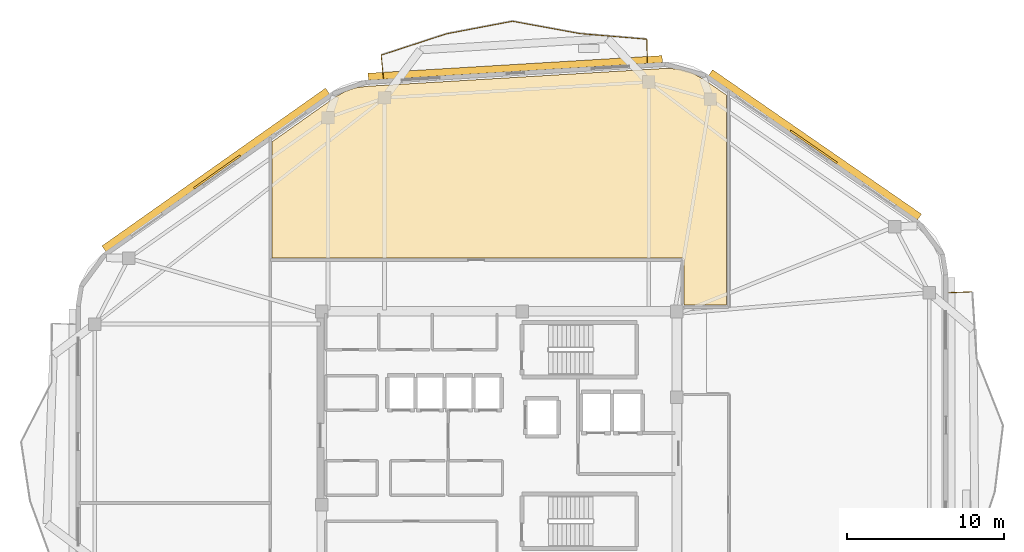
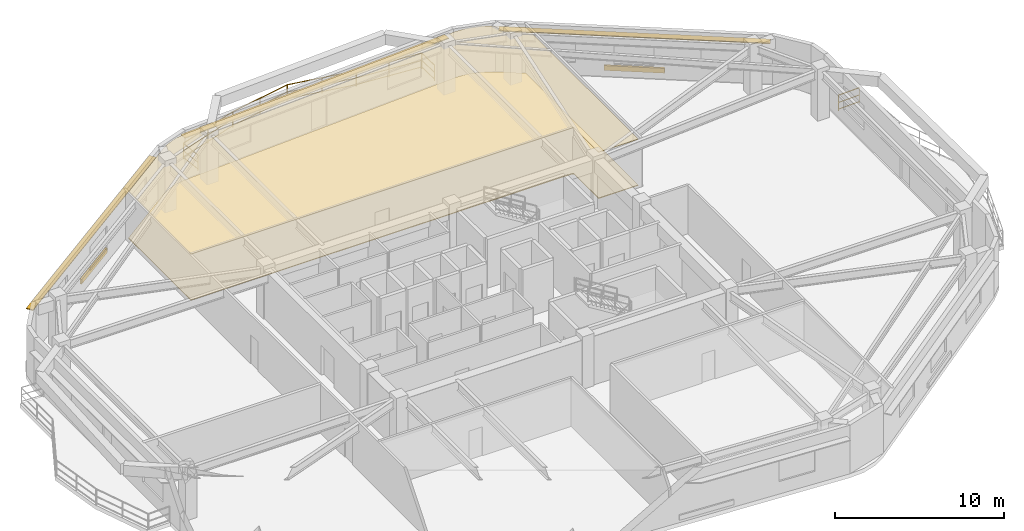
# One storey, part 9 of 9: 7 railings, 5 shading devices, 2 coverings.
"""IFC4 building model written with IfcOpenShell, lengths in metres."""

from ifc_helpers import new_model, si_unit, direction, frame, origin, origin_2d, place, context, subcontext, project, spatial, polyline, rectangle, outline, extrude, material, layer, layer_set, type_object, element, save


model = new_model("IFC4")

# Units and contexts
model_context = context("Model", 3, precision=1e-05, world=origin(), true_north=direction((0.0, 1.0)))
body_context = subcontext(model_context, "Body", "Model", "MODEL_VIEW")
ifc_project = project(units=[si_unit("LENGTHUNIT", "METRE"), si_unit("AREAUNIT", "SQUARE_METRE"), si_unit("VOLUMEUNIT", "CUBIC_METRE"), si_unit("PLANEANGLEUNIT", "RADIAN"), si_unit("MASSUNIT", "GRAM", prefix="KILO")], contexts=[model_context])

# Site, building, storey
site_placement = place(None, origin())
site = spatial("IfcSite", under=ifc_project, at=site_placement, CompositionType="ELEMENT")
building_placement = place(site_placement, origin())
building = spatial("IfcBuilding", under=site, at=building_placement, Name="Zulverin Broadcast Headquarters", CompositionType="ELEMENT")
storey_placement = place(building_placement, frame((0.0, 0.0, 244.0)))
storey = spatial("IfcBuildingStorey", under=building, at=storey_placement, Name="L62", CompositionType="ELEMENT", Elevation=244.0)

# Coverings
ifc_material_1 = material(Name="Perforated pale-metal acoustic baffle ceiling", Category="aluminium")
ifc_layer_1 = layer(ifc_material_1, 0.0400390625, Name="Perforated pale-metal acoustic baffle ceiling", Category="aluminium")
ifc_layer_set_1 = layer_set([ifc_layer_1], Name="Perforated pale-metal acoustic baffle ceiling")
covering_type_1 = type_object("IfcCoveringType", Name="COV-CEIL-ACOU", PredefinedType="CEILING", material=ifc_layer_set_1)
covering_1_placement = place(storey_placement, frame((0.0, 0.0, 3.330078125)))
element("IfcCovering", 1, at=covering_1_placement, inside=storey, type_object=covering_type_1, Name="L62 Acoustic Baffle Ceiling 01", PredefinedType="CEILING", context=body_context, shape_type="SweptSolid", body=[
    extrude(outline(polyline([(48.39599609375, 48.471923828125), (47.56005859375, 48.51611328125), (28.52392578125, 47.3720703125), (27.827880859375, 47.26806640625), (27.18798828125, 47.0400390625), (26.575927734375, 46.69189453125), (22.572021484375, 43.860107421875), (22.572021484375, 36.471923828125), (48.60009765625, 36.471923828125), (48.612060546875, 36.471923828125), (48.6240234375, 36.468017578125), (48.635986328125, 36.468017578125), (48.64404296875, 36.464111328125), (48.656005859375, 36.4560546875), (48.66796875, 36.451904296875), (48.676025390625, 36.444091796875), (48.68408203125, 36.43603515625), (48.69189453125, 36.427978515625), (48.699951171875, 36.419921875), (48.7041015625, 36.407958984375), (48.7119140625, 36.39599609375), (48.716064453125, 36.387939453125), (48.716064453125, 36.3759765625), (48.719970703125, 36.364013671875), (48.719970703125, 36.35205078125), (48.719970703125, 33.5), (51.431884765625, 33.5), (51.431884765625, 46.81201171875), (49.924072265625, 47.85205078125), (49.18798828125, 48.251953125), (48.39599609375, 48.471923828125)])), origin(), (0.0, 0.0, 1.0), 0.0400390625),
])
ifc_material_2 = material(Name="Anti-static broadcast raised access flooring", Category="stone")
ifc_layer_2 = layer(ifc_material_2, 0.050048828125, Name="Anti-static broadcast raised access flooring", Category="stone")
ifc_layer_set_2 = layer_set([ifc_layer_2], Name="Anti-static broadcast raised access flooring")
covering_type_2 = type_object("IfcCoveringType", Name="COV-FLR-RAISED", PredefinedType="FLOORING", material=ifc_layer_set_2)
covering_2_placement = place(storey_placement, origin())
element("IfcCovering", 2, at=covering_2_placement, inside=storey, type_object=covering_type_2, Name="L62 Broadcast Raised Access Flooring 01", PredefinedType="FLOORING", context=body_context, shape_type="SweptSolid", body=[
    extrude(outline(polyline([(48.39599609375, 48.471923828125), (47.56005859375, 48.51611328125), (28.52392578125, 47.3720703125), (27.827880859375, 47.26806640625), (27.18798828125, 47.0400390625), (26.575927734375, 46.69189453125), (22.572021484375, 43.860107421875), (22.572021484375, 36.471923828125), (48.60009765625, 36.471923828125), (48.612060546875, 36.471923828125), (48.6240234375, 36.468017578125), (48.635986328125, 36.468017578125), (48.64404296875, 36.464111328125), (48.656005859375, 36.4560546875), (48.66796875, 36.451904296875), (48.676025390625, 36.444091796875), (48.68408203125, 36.43603515625), (48.69189453125, 36.427978515625), (48.699951171875, 36.419921875), (48.7041015625, 36.407958984375), (48.7119140625, 36.39599609375), (48.716064453125, 36.387939453125), (48.716064453125, 36.3759765625), (48.719970703125, 36.364013671875), (48.719970703125, 36.35205078125), (48.719970703125, 33.5), (51.431884765625, 33.5), (51.431884765625, 46.81201171875), (49.924072265625, 47.85205078125), (49.18798828125, 48.251953125), (48.39599609375, 48.471923828125)])), origin(), (0.0, 0.0, 1.0), 0.050048828125),
])

# Railings
ifc_material_3 = material(Name="Brushed stainless steel & laminated glass balustrade", Category="steel")
railing_type = type_object("IfcRailingType", Name="RL-GUARD-1150", PredefinedType="GUARDRAIL", material=ifc_material_3)
railing_1_placement = place(storey_placement, frame((67.0048828125, 34.3251953125, 0.0)))
element("IfcRailing", 3, at=railing_1_placement, inside=storey, type_object=railing_type, Name="L62 Vertical-Forest Balcony Guardrail BAL_E Segment 06", PredefinedType="GUARDRAIL", context=body_context, shape_type="SweptSolid", body=[
    extrude(rectangle(XDim=0.048095703125, YDim=0.048095703125, at=origin_2d()), frame((0.0, 0.0, 1.1259765625), z_axis=(-0.999174135318, -0.040633081503, 0.0), x_axis=(0.040633081503, -0.999174135318, 0.0)), (0.0, 0.0, 1.0), 1.466064453125),
    extrude(rectangle(XDim=0.0419921875, YDim=0.0419921875, at=origin_2d()), frame((0.0, 0.0, 0.597900390625), z_axis=(-0.999174135318, -0.040633081503, 0.0), x_axis=(0.040633081503, -0.999174135318, 0.0)), (0.0, 0.0, 1.0), 1.466064453125),
    extrude(rectangle(XDim=0.0419921875, YDim=0.0419921875, at=origin_2d()), frame((0.0, 0.0, 0.1201171875), z_axis=(-0.999174135318, -0.040633081503, 0.0), x_axis=(0.040633081503, -0.999174135318, 0.0)), (0.0, 0.0, 1.0), 1.466064453125),
    extrude(rectangle(XDim=0.0419921875, YDim=0.0419921875, at=origin_2d()), origin(), (0.0, 0.0, 1.0), 1.101806640625),
    extrude(rectangle(XDim=0.0419921875, YDim=0.0419921875, at=origin_2d()), frame((-1.46484375, -0.0595703125, 0.0)), (0.0, 0.0, 1.0), 1.101806640625),
])
railing_2_placement = place(storey_placement, frame((46.397216796875, 48.885498046875, 0.0)))
element("IfcRailing", 4, at=railing_2_placement, inside=storey, type_object=railing_type, Name="L62 Vertical-Forest Balcony Guardrail BAL_N Segment 01", PredefinedType="GUARDRAIL", context=body_context, shape_type="SweptSolid", body=[
    extrude(rectangle(XDim=0.048095703125, YDim=0.048095703125, at=origin_2d()), frame((0.0, 0.0, 1.1259765625), z_axis=(-0.019480066399, 0.999810245503, 0.0), x_axis=(-0.999810245503, -0.019480066399, 0.0)), (0.0, 0.0, 1.0), 1.46630859375),
    extrude(rectangle(XDim=0.0419921875, YDim=0.0419921875, at=origin_2d()), frame((0.0, 0.0, 0.597900390625), z_axis=(-0.019480066399, 0.999810245503, 0.0), x_axis=(-0.999810245503, -0.019480066399, 0.0)), (0.0, 0.0, 1.0), 1.46630859375),
    extrude(rectangle(XDim=0.0419921875, YDim=0.0419921875, at=origin_2d()), frame((0.0, 0.0, 0.1201171875), z_axis=(-0.019480066399, 0.999810245503, 0.0), x_axis=(-0.999810245503, -0.019480066399, 0.0)), (0.0, 0.0, 1.0), 1.46630859375),
    extrude(rectangle(XDim=0.0419921875, YDim=0.0419921875, at=origin_2d()), origin(), (0.0, 0.0, 1.0), 1.101806640625),
    extrude(rectangle(XDim=0.0419921875, YDim=0.0419921875, at=origin_2d()), frame((-0.028564453125, 1.466064453125, 0.0)), (0.0, 0.0, 1.0), 1.101806640625),
])
railing_3_placement = place(storey_placement, frame((46.353515625, 50.367919921875, 0.0)))
element("IfcRailing", 5, at=railing_3_placement, inside=storey, type_object=railing_type, Name="L62 Vertical-Forest Balcony Guardrail BAL_N Segment 02", PredefinedType="GUARDRAIL", context=body_context, shape_type="SweptSolid", body=[
    extrude(rectangle(XDim=0.048095703125, YDim=0.048095703125, at=origin_2d()), frame((0.0, 0.0, 1.1259765625), z_axis=(-0.996482760527, 0.083798018905, 0.0), x_axis=(-0.083798018905, -0.996482760527, 0.0)), (0.0, 0.0, 1.0), 4.241943359375),
    extrude(rectangle(XDim=0.0419921875, YDim=0.0419921875, at=origin_2d()), frame((0.0, 0.0, 0.597900390625), z_axis=(-0.996482760527, 0.083798018905, 0.0), x_axis=(-0.083798018905, -0.996482760527, 0.0)), (0.0, 0.0, 1.0), 4.241943359375),
    extrude(rectangle(XDim=0.0419921875, YDim=0.0419921875, at=origin_2d()), frame((0.0, 0.0, 0.1201171875), z_axis=(-0.996482760527, 0.083798018905, 0.0), x_axis=(-0.083798018905, -0.996482760527, 0.0)), (0.0, 0.0, 1.0), 4.241943359375),
    extrude(rectangle(XDim=0.0419921875, YDim=0.0419921875, at=origin_2d()), origin(), (0.0, 0.0, 1.0), 1.101806640625),
    extrude(rectangle(XDim=0.0419921875, YDim=0.0419921875, at=origin_2d()), frame((-2.113525390625, 0.177734375, 0.0)), (0.0, 0.0, 1.0), 1.101806640625),
    extrude(rectangle(XDim=0.0419921875, YDim=0.0419921875, at=origin_2d()), frame((-4.22705078125, 0.35546875, 0.0)), (0.0, 0.0, 1.0), 1.101806640625),
])
railing_4_placement = place(storey_placement, frame((42.0966796875, 50.727294921875, 0.0)))
element("IfcRailing", 6, at=railing_4_placement, inside=storey, type_object=railing_type, Name="L62 Vertical-Forest Balcony Guardrail BAL_N Segment 03", PredefinedType="GUARDRAIL", context=body_context, shape_type="SweptSolid", body=[
    extrude(rectangle(XDim=0.048095703125, YDim=0.048095703125, at=origin_2d()), frame((0.0, 0.0, 1.1259765625), z_axis=(-0.983691422251, 0.179864353859, 0.0), x_axis=(-0.179864353859, -0.983691422251, 0.0)), (0.0, 0.0, 1.0), 4.3232421875),
    extrude(rectangle(XDim=0.0419921875, YDim=0.0419921875, at=origin_2d()), frame((0.0, 0.0, 0.597900390625), z_axis=(-0.983691422251, 0.179864353859, 0.0), x_axis=(-0.179864353859, -0.983691422251, 0.0)), (0.0, 0.0, 1.0), 4.3232421875),
    extrude(rectangle(XDim=0.0419921875, YDim=0.0419921875, at=origin_2d()), frame((0.0, 0.0, 0.1201171875), z_axis=(-0.983691422251, 0.179864353859, 0.0), x_axis=(-0.179864353859, -0.983691422251, 0.0)), (0.0, 0.0, 1.0), 4.3232421875),
    extrude(rectangle(XDim=0.0419921875, YDim=0.0419921875, at=origin_2d()), origin(), (0.0, 0.0, 1.0), 1.101806640625),
    extrude(rectangle(XDim=0.0419921875, YDim=0.0419921875, at=origin_2d()), frame((-2.12646484375, 0.388671875, 0.0)), (0.0, 0.0, 1.0), 1.101806640625),
    extrude(rectangle(XDim=0.0419921875, YDim=0.0419921875, at=origin_2d()), frame((-4.252685546875, 0.777587890625, 0.0)), (0.0, 0.0, 1.0), 1.101806640625),
])
railing_5_placement = place(storey_placement, frame((37.814453125, 51.504638671875, 0.0)))
element("IfcRailing", 7, at=railing_5_placement, inside=storey, type_object=railing_type, Name="L62 Vertical-Forest Balcony Guardrail BAL_N Segment 04", PredefinedType="GUARDRAIL", context=body_context, shape_type="SweptSolid", body=[
    extrude(rectangle(XDim=0.048095703125, YDim=0.048095703125, at=origin_2d()), frame((0.0, 0.0, 1.1259765625), z_axis=(-0.982338566422, -0.18711210789, 0.0), x_axis=(0.18711210789, -0.982338566422, 0.0)), (0.0, 0.0, 1.0), 4.232666015625),
    extrude(rectangle(XDim=0.0419921875, YDim=0.0419921875, at=origin_2d()), frame((0.0, 0.0, 0.597900390625), z_axis=(-0.982338566422, -0.18711210789, 0.0), x_axis=(0.18711210789, -0.982338566422, 0.0)), (0.0, 0.0, 1.0), 4.232666015625),
    extrude(rectangle(XDim=0.0419921875, YDim=0.0419921875, at=origin_2d()), frame((0.0, 0.0, 0.1201171875), z_axis=(-0.982338566422, -0.18711210789, 0.0), x_axis=(0.18711210789, -0.982338566422, 0.0)), (0.0, 0.0, 1.0), 4.232666015625),
    extrude(rectangle(XDim=0.0419921875, YDim=0.0419921875, at=origin_2d()), origin(), (0.0, 0.0, 1.0), 1.101806640625),
    extrude(rectangle(XDim=0.0419921875, YDim=0.0419921875, at=origin_2d()), frame((-2.0791015625, -0.39599609375, 0.0)), (0.0, 0.0, 1.0), 1.101806640625),
    extrude(rectangle(XDim=0.0419921875, YDim=0.0419921875, at=origin_2d()), frame((-4.157958984375, -0.7919921875, 0.0)), (0.0, 0.0, 1.0), 1.101806640625),
])
railing_6_placement = place(storey_placement, frame((33.62744140625, 50.705078125, 0.0)))
element("IfcRailing", 8, at=railing_6_placement, inside=storey, type_object=railing_type, Name="L62 Vertical-Forest Balcony Guardrail BAL_N Segment 05", PredefinedType="GUARDRAIL", context=body_context, shape_type="SweptSolid", body=[
    extrude(rectangle(XDim=0.048095703125, YDim=0.048095703125, at=origin_2d()), frame((0.0, 0.0, 1.1259765625), z_axis=(-0.950595292658, -0.310432906722, 0.0), x_axis=(0.310432906722, -0.950595292658, 0.0)), (0.0, 0.0, 1.0), 4.339599609375),
    extrude(rectangle(XDim=0.0419921875, YDim=0.0419921875, at=origin_2d()), frame((0.0, 0.0, 0.597900390625), z_axis=(-0.950595292658, -0.310432906722, 0.0), x_axis=(0.310432906722, -0.950595292658, 0.0)), (0.0, 0.0, 1.0), 4.339599609375),
    extrude(rectangle(XDim=0.0419921875, YDim=0.0419921875, at=origin_2d()), frame((0.0, 0.0, 0.1201171875), z_axis=(-0.950595292658, -0.310432906722, 0.0), x_axis=(0.310432906722, -0.950595292658, 0.0)), (0.0, 0.0, 1.0), 4.339599609375),
    extrude(rectangle(XDim=0.0419921875, YDim=0.0419921875, at=origin_2d()), origin(), (0.0, 0.0, 1.0), 1.101806640625),
    extrude(rectangle(XDim=0.0419921875, YDim=0.0419921875, at=origin_2d()), frame((-2.0625, -0.673583984375, 0.0)), (0.0, 0.0, 1.0), 1.101806640625),
    extrude(rectangle(XDim=0.0419921875, YDim=0.0419921875, at=origin_2d()), frame((-4.125244140625, -1.34716796875, 0.0)), (0.0, 0.0, 1.0), 1.101806640625),
])
railing_7_placement = place(storey_placement, frame((29.489501953125, 49.338134765625, 0.0)))
element("IfcRailing", 9, at=railing_7_placement, inside=storey, type_object=railing_type, Name="L62 Vertical-Forest Balcony Guardrail BAL_N Segment 06", PredefinedType="GUARDRAIL", context=body_context, shape_type="SweptSolid", body=[
    extrude(rectangle(XDim=0.048095703125, YDim=0.048095703125, at=origin_2d()), frame((0.0, 0.0, 1.1259765625), z_axis=(0.100245616419, -0.994962721105, 0.0), x_axis=(0.994962721105, 0.100245616419, 0.0)), (0.0, 0.0, 1.0), 1.466064453125),
    extrude(rectangle(XDim=0.0419921875, YDim=0.0419921875, at=origin_2d()), frame((0.0, 0.0, 0.597900390625), z_axis=(0.100245616419, -0.994962721105, 0.0), x_axis=(0.994962721105, 0.100245616419, 0.0)), (0.0, 0.0, 1.0), 1.466064453125),
    extrude(rectangle(XDim=0.0419921875, YDim=0.0419921875, at=origin_2d()), frame((0.0, 0.0, 0.1201171875), z_axis=(0.100245616419, -0.994962721105, 0.0), x_axis=(0.994962721105, 0.100245616419, 0.0)), (0.0, 0.0, 1.0), 1.466064453125),
    extrude(rectangle(XDim=0.0419921875, YDim=0.0419921875, at=origin_2d()), origin(), (0.0, 0.0, 1.0), 1.101806640625),
    extrude(rectangle(XDim=0.0419921875, YDim=0.0419921875, at=origin_2d()), frame((0.14697265625, -1.458740234375, 0.0)), (0.0, 0.0, 1.0), 1.101806640625),
])

# Shading devices
ifc_material_4 = material(Name="Anodized pale-metal aluminium acoustic louvre", Category="aluminium")
shading_device_type_1 = type_object("IfcShadingDeviceType", Name="SHD-LOUVRE-350", PredefinedType="USERDEFINED", material=ifc_material_4)
for number, where, z_axis, x_axis, name in (
    (10, (56.955322265625, 43.52978515625, 0.244873046875), (0.0, 0.0, 1.0), (-0.822655402653, 0.568540313861, 0.0), "L62 Spandrel Intake Louvre 4"),
    (11, (19.076171875, 41.933837890625, 0.244873046875), (0.0, 0.0, 1.0), (-0.817023146348, -0.576604871929, 0.0), "L62 Spandrel Intake Louvre 6"),
):
    element("IfcShadingDevice", number, at=place(storey_placement, frame(where, z_axis=z_axis, x_axis=x_axis)), inside=storey, type_object=shading_device_type_1, Name=name, ObjectType="LOUVRE", PredefinedType="USERDEFINED", context=body_context, shape_type="SweptSolid", body=[
        extrude(rectangle(XDim=3.60009765625, YDim=0.1201171875, at=origin_2d()), origin(), (0.0, 0.0, 1.0), 0.35009765625),
    ])
ifc_material_5 = material(Name="Anodized pale-metal aluminium sunshade", Category="aluminium")
ifc_layer_3 = layer(ifc_material_5, 0.06005859375, Name="Anodized pale-metal aluminium sunshade", Category="aluminium")
ifc_layer_set_3 = layer_set([ifc_layer_3], Name="Anodized pale-metal aluminium sunshade")
shading_device_type_2 = type_object("IfcShadingDeviceType", Name="SS-01_PALE_METAL_ALUMINIUM_SUNSHADE", PredefinedType="USERDEFINED", material=ifc_layer_set_3)
shading_device_1_placement = place(storey_placement, frame((57.04638671875, 43.66162109375, 2.7099609375), z_axis=(0.0, 0.0, 1.0), x_axis=(-0.822655402653, 0.568540313861, 0.0)))
element("IfcShadingDevice", 12, at=shading_device_1_placement, inside=storey, type_object=shading_device_type_2, Name="L62 Horizontal Pale-Metal Sunshade Band 4", ObjectType="SUNSHADE", PredefinedType="USERDEFINED", context=body_context, shape_type="SweptSolid", body=[
    extrude(rectangle(XDim=16.1279296875, YDim=0.449951171875, at=origin_2d()), origin(), (0.0, 0.0, 1.0), 0.06005859375),
])
shading_device_2_placement = place(storey_placement, frame((38.007080078125, 48.542236328125, 2.7099609375), z_axis=(0.0, 0.0, 1.0), x_axis=(-0.99820257679, -0.059930090026, 0.0)))
element("IfcShadingDevice", 13, at=shading_device_2_placement, inside=storey, type_object=shading_device_type_2, Name="L62 Horizontal Pale-Metal Sunshade Band 5", ObjectType="SUNSHADE", PredefinedType="USERDEFINED", context=body_context, shape_type="SweptSolid", body=[
    extrude(rectangle(XDim=18.710693359375, YDim=0.449951171875, at=origin_2d()), origin(), (0.0, 0.0, 1.0), 0.06005859375),
])
shading_device_3_placement = place(storey_placement, frame((18.98388671875, 42.064453125, 2.7099609375), z_axis=(0.0, 0.0, 1.0), x_axis=(-0.817023146348, -0.576604871929, 0.0)))
element("IfcShadingDevice", 14, at=shading_device_3_placement, inside=storey, type_object=shading_device_type_2, Name="L62 Horizontal Pale-Metal Sunshade Band 6", ObjectType="SUNSHADE", PredefinedType="USERDEFINED", context=body_context, shape_type="SweptSolid", body=[
    extrude(rectangle(XDim=17.3798828125, YDim=0.449951171875, at=origin_2d()), origin(), (0.0, 0.0, 1.0), 0.06005859375),
])

save(model, "model.ifc")
